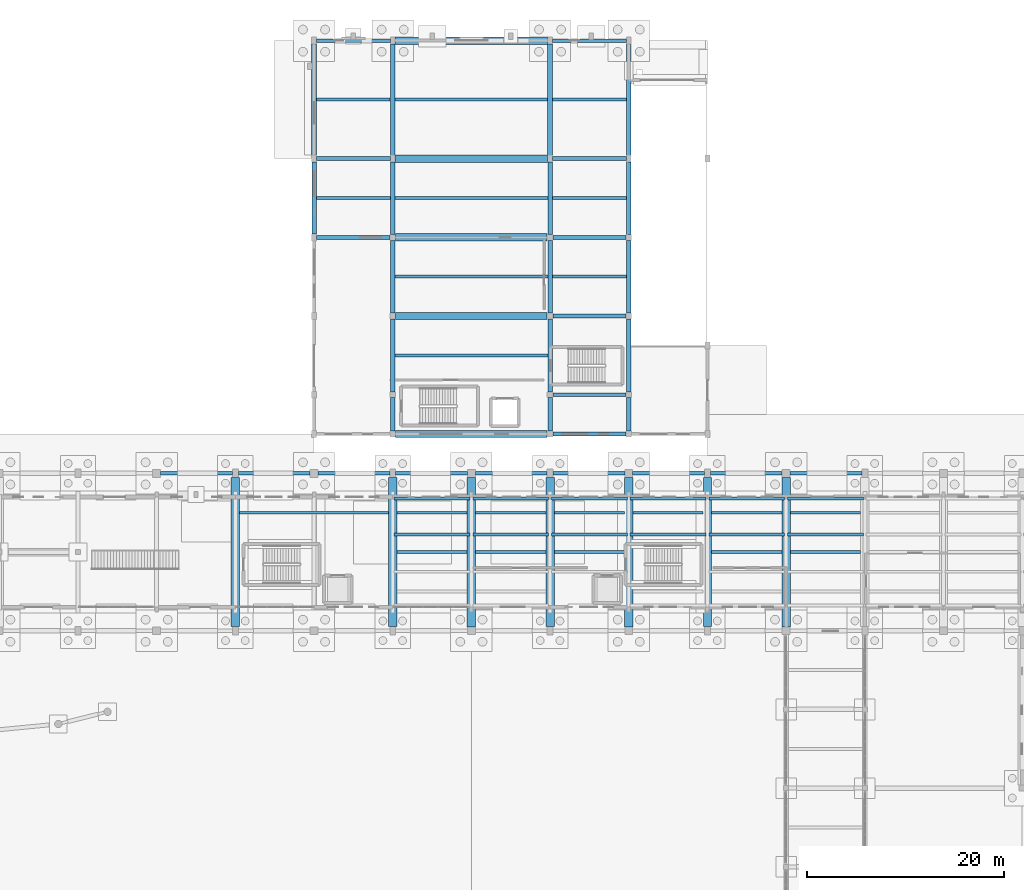
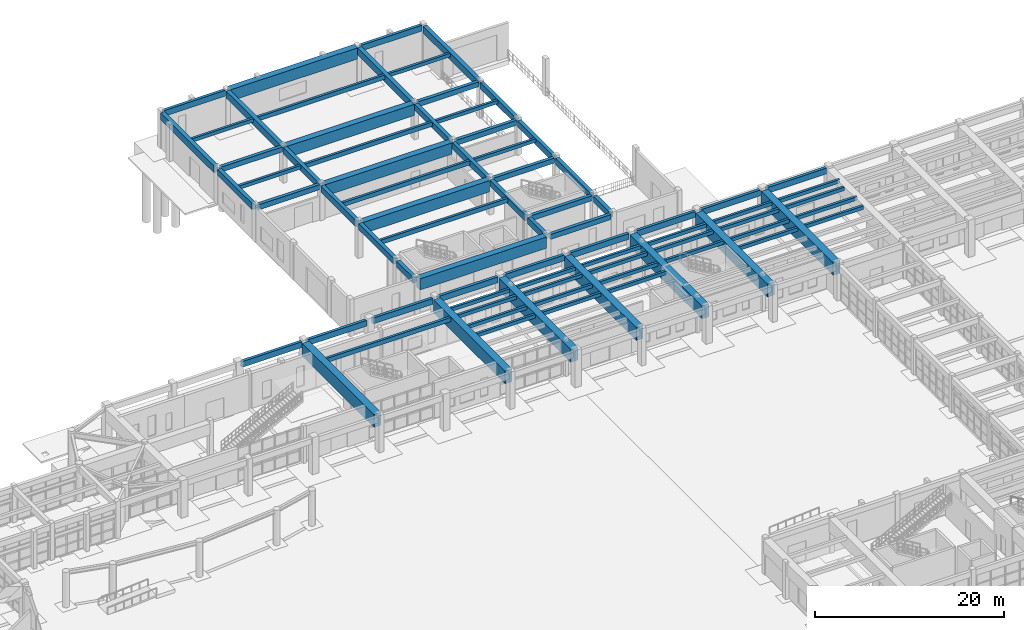
# One storey, part 29 of 68: 80 beams.
"""IFC4 building model written with IfcOpenShell, lengths in metres."""

from ifc_helpers import new_model, si_unit, direction, frame, origin, origin_2d, place, context, subcontext, project, spatial, rectangle, extrude, material, material_profile, profile_set, type_object, element, save


model = new_model("IFC4")

# Units and contexts
model_context = context("Model", 3, precision=1e-05, world=origin(), true_north=direction((0.0, 1.0)))
body_context = subcontext(model_context, "Body", "Model", "MODEL_VIEW")
ifc_project = project(units=[si_unit("LENGTHUNIT", "METRE"), si_unit("AREAUNIT", "SQUARE_METRE"), si_unit("VOLUMEUNIT", "CUBIC_METRE"), si_unit("PLANEANGLEUNIT", "RADIAN"), si_unit("MASSUNIT", "GRAM", prefix="KILO")], contexts=[model_context])

# Site, building, storey
site_placement = place(None, origin())
site = spatial("IfcSite", under=ifc_project, at=site_placement, CompositionType="ELEMENT")
building_placement = place(site_placement, origin())
building = spatial("IfcBuilding", under=site, at=building_placement, Name="Serraluz Foothill Cableway Terminal", CompositionType="ELEMENT")
storey_placement = place(building_placement, origin())
storey = spatial("IfcBuildingStorey", under=building, at=storey_placement, Name="L00", CompositionType="ELEMENT", Elevation=0.0)

# Beams
ifc_material_1 = material(Name="Concrete C28/35 (f'c 28 MPa)", Category="concrete")
ifc_material_profile_1 = material_profile(ifc_material_1, rectangle(XDim=0.39990234375, YDim=0.64990234375, at=origin_2d()), Name="RC 400x650")
ifc_profile_set_1 = profile_set([ifc_material_profile_1], Name="Concrete C28/35 (f'c 28 MPa)")
beam_type_1 = type_object("IfcBeamType", Name="TYP-BM-RC400X650", PredefinedType="BEAM", material=ifc_profile_set_1)
for number, where, z_axis, x_axis, name in (
    (1, (96.2958984375, 76.0, 4.175048828125), (1.0, 0.0, 0.0), (0.0, 1.0, 0.0), "Primary Girder BM-X-L00-0098"),
    (2, (96.2958984375, 80.0, 4.175048828125), (1.0, 0.0, 0.0), (0.0, 1.0, 0.0), "Primary Girder BM-X-L00-0099"),
    (3, (96.2958984375, 88.0, 4.175048828125), (1.0, 0.0, 0.0), (0.0, 1.0, 0.0), "Primary Girder BM-X-L00-0101"),
):
    element("IfcBeam", number, at=place(storey_placement, frame(where, z_axis=z_axis, x_axis=x_axis)), inside=storey, type_object=beam_type_1, Name=name, PredefinedType="BEAM", context=body_context, shape_type="SweptSolid", body=[
        extrude(rectangle(XDim=0.39990234375, YDim=0.64990234375, at=origin_2d()), origin(), (0.0, 0.0, 1.0), 7.408203125),
    ])
beam_1_placement = place(storey_placement, frame((72.24609375, 96.0, 4.294921875), z_axis=(1.0, 0.0, 0.0), x_axis=(0.0, 1.0, 0.0)))
element("IfcBeam", 4, at=beam_1_placement, inside=storey, type_object=beam_type_1, Name="Primary Girder BM-X-L00-0102", PredefinedType="BEAM", context=body_context, shape_type="SweptSolid", body=[
    extrude(rectangle(XDim=0.39990234375, YDim=0.64990234375, at=origin_2d()), origin(), (0.0, 0.0, 1.0), 7.4580078125),
])
beam_2_placement = place(storey_placement, frame((96.2958984375, 96.0, 4.175048828125), z_axis=(1.0, 0.0, 0.0), x_axis=(0.0, 1.0, 0.0)))
element("IfcBeam", 5, at=beam_2_placement, inside=storey, type_object=beam_type_1, Name="Primary Girder BM-X-L00-0104", PredefinedType="BEAM", context=body_context, shape_type="SweptSolid", body=[
    extrude(rectangle(XDim=0.39990234375, YDim=0.64990234375, at=origin_2d()), origin(), (0.0, 0.0, 1.0), 7.408203125),
])
for number, where, z_axis, x_axis, name in (
    (6, (72.24609375, 104.0, 4.294921875), (1.0, 0.0, 0.0), (0.0, 1.0, 0.0), "Primary Girder BM-X-L00-0105"),
    (7, (96.24609375, 104.0, 4.294921875), (1.0, 0.0, 0.0), (0.0, 1.0, 0.0), "Primary Girder BM-X-L00-0107"),
):
    element("IfcBeam", number, at=place(storey_placement, frame(where, z_axis=z_axis, x_axis=x_axis)), inside=storey, type_object=beam_type_1, Name=name, PredefinedType="BEAM", context=body_context, shape_type="SweptSolid", body=[
        extrude(rectangle(XDim=0.39990234375, YDim=0.64990234375, at=origin_2d()), origin(), (0.0, 0.0, 1.0), 7.5078125),
    ])
ifc_material_2 = material(Name="Concrete C35/45 (f'c 35 MPa)", Category="concrete")
ifc_material_profile_2 = material_profile(ifc_material_2, rectangle(XDim=0.449951171875, YDim=0.800048828125, at=origin_2d()), Name="RC 450x800")
ifc_profile_set_2 = profile_set([ifc_material_profile_2], Name="Concrete C35/45 (f'c 35 MPa)")
beam_type_2 = type_object("IfcBeamType", Name="TYP-BM-RC450X800", PredefinedType="BEAM", material=ifc_profile_set_2)
beam_3_placement = place(storey_placement, frame((72.0, 96.345947265625, 4.219970703125), z_axis=(0.0, 1.0, 0.0), x_axis=(-1.0, 0.0, 0.0)))
element("IfcBeam", 8, at=beam_3_placement, inside=storey, type_object=beam_type_2, Name="Transverse Girder BM-Y-L00-0131", PredefinedType="BEAM", context=body_context, shape_type="SweptSolid", body=[
    extrude(rectangle(XDim=0.449951171875, YDim=0.800048828125, at=origin_2d()), origin(), (0.0, 0.0, 1.0), 7.30810546875),
])
beam_4_placement = place(storey_placement, frame((80.0, 76.2958984375, 4.10009765625), z_axis=(0.0, 1.0, 0.0), x_axis=(-1.0, 0.0, 0.0)))
element("IfcBeam", 9, at=beam_4_placement, inside=storey, type_object=beam_type_2, Name="Transverse Girder BM-Y-L00-0134", PredefinedType="BEAM", context=body_context, shape_type="SweptSolid", body=[
    extrude(rectangle(XDim=0.449951171875, YDim=0.800048828125, at=origin_2d()), origin(), (0.0, 0.0, 1.0), 3.408203125),
])
for number, where, z_axis, x_axis, name in (
    (10, (80.0, 80.2958984375, 4.10009765625), (0.0, 1.0, 0.0), (-1.0, 0.0, 0.0), "Transverse Girder BM-Y-L00-0135"),
    (11, (80.0, 88.2958984375, 4.10009765625), (0.0, 1.0, 0.0), (-1.0, 0.0, 0.0), "Transverse Girder BM-Y-L00-0136"),
):
    element("IfcBeam", number, at=place(storey_placement, frame(where, z_axis=z_axis, x_axis=x_axis)), inside=storey, type_object=beam_type_2, Name=name, PredefinedType="BEAM", context=body_context, shape_type="SweptSolid", body=[
        extrude(rectangle(XDim=0.449951171875, YDim=0.800048828125, at=origin_2d()), origin(), (0.0, 0.0, 1.0), 7.408203125),
    ])
beam_5_placement = place(storey_placement, frame((80.0, 96.2958984375, 4.219970703125), z_axis=(0.0, 1.0, 0.0), x_axis=(-1.0, 0.0, 0.0)))
element("IfcBeam", 12, at=beam_5_placement, inside=storey, type_object=beam_type_2, Name="Transverse Girder BM-Y-L00-0137", PredefinedType="BEAM", context=body_context, shape_type="SweptSolid", body=[
    extrude(rectangle(XDim=0.449951171875, YDim=0.800048828125, at=origin_2d()), origin(), (0.0, 0.0, 1.0), 7.358154296875),
])
beam_6_placement = place(storey_placement, frame((96.0, 76.2958984375, 4.10009765625), z_axis=(0.0, 1.0, 0.0), x_axis=(-1.0, 0.0, 0.0)))
element("IfcBeam", 13, at=beam_6_placement, inside=storey, type_object=beam_type_2, Name="Transverse Girder BM-Y-L00-0143", PredefinedType="BEAM", context=body_context, shape_type="SweptSolid", body=[
    extrude(rectangle(XDim=0.449951171875, YDim=0.800048828125, at=origin_2d()), origin(), (0.0, 0.0, 1.0), 3.408203125),
])
for number, where, z_axis, x_axis, name in (
    (14, (96.0, 80.2958984375, 4.10009765625), (0.0, 1.0, 0.0), (-1.0, 0.0, 0.0), "Transverse Girder BM-Y-L00-0144"),
    (15, (96.0, 88.2958984375, 4.10009765625), (0.0, 1.0, 0.0), (-1.0, 0.0, 0.0), "Transverse Girder BM-Y-L00-0145"),
):
    element("IfcBeam", number, at=place(storey_placement, frame(where, z_axis=z_axis, x_axis=x_axis)), inside=storey, type_object=beam_type_2, Name=name, PredefinedType="BEAM", context=body_context, shape_type="SweptSolid", body=[
        extrude(rectangle(XDim=0.449951171875, YDim=0.800048828125, at=origin_2d()), origin(), (0.0, 0.0, 1.0), 7.408203125),
    ])
beam_7_placement = place(storey_placement, frame((96.0, 96.2958984375, 4.219970703125), z_axis=(0.0, 1.0, 0.0), x_axis=(-1.0, 0.0, 0.0)))
element("IfcBeam", 16, at=beam_7_placement, inside=storey, type_object=beam_type_2, Name="Transverse Girder BM-Y-L00-0146", PredefinedType="BEAM", context=body_context, shape_type="SweptSolid", body=[
    extrude(rectangle(XDim=0.449951171875, YDim=0.800048828125, at=origin_2d()), origin(), (0.0, 0.0, 1.0), 7.358154296875),
])
beam_8_placement = place(storey_placement, frame((104.0, 76.2958984375, 4.10009765625), z_axis=(0.0, 1.0, 0.0), x_axis=(-1.0, 0.0, 0.0)))
element("IfcBeam", 17, at=beam_8_placement, inside=storey, type_object=beam_type_2, Name="Transverse Girder BM-Y-L00-0149", PredefinedType="BEAM", context=body_context, shape_type="SweptSolid", body=[
    extrude(rectangle(XDim=0.449951171875, YDim=0.800048828125, at=origin_2d()), origin(), (0.0, 0.0, 1.0), 3.408203125),
])
for number, where, z_axis, x_axis, name in (
    (18, (104.0, 80.2958984375, 4.10009765625), (0.0, 1.0, 0.0), (-1.0, 0.0, 0.0), "Transverse Girder BM-Y-L00-0150"),
    (19, (104.0, 88.2958984375, 4.10009765625), (0.0, 1.0, 0.0), (-1.0, 0.0, 0.0), "Transverse Girder BM-Y-L00-0151"),
):
    element("IfcBeam", number, at=place(storey_placement, frame(where, z_axis=z_axis, x_axis=x_axis)), inside=storey, type_object=beam_type_2, Name=name, PredefinedType="BEAM", context=body_context, shape_type="SweptSolid", body=[
        extrude(rectangle(XDim=0.449951171875, YDim=0.800048828125, at=origin_2d()), origin(), (0.0, 0.0, 1.0), 7.408203125),
    ])
beam_9_placement = place(storey_placement, frame((104.0, 96.2958984375, 4.219970703125), z_axis=(0.0, 1.0, 0.0), x_axis=(-1.0, 0.0, 0.0)))
element("IfcBeam", 20, at=beam_9_placement, inside=storey, type_object=beam_type_2, Name="Transverse Girder BM-Y-L00-0152", PredefinedType="BEAM", context=body_context, shape_type="SweptSolid", body=[
    extrude(rectangle(XDim=0.449951171875, YDim=0.800048828125, at=origin_2d()), origin(), (0.0, 0.0, 1.0), 7.358154296875),
])
ifc_material_profile_3 = material_profile(ifc_material_2, rectangle(XDim=0.5, YDim=0.89990234375, at=origin_2d()), Name="RC 500x900")
ifc_profile_set_3 = profile_set([ifc_material_profile_3], Name="Concrete C35/45 (f'c 35 MPa)")
beam_type_3 = type_object("IfcBeamType", Name="TYP-BM-RC500X900", PredefinedType="BEAM", material=ifc_profile_set_3)
for number, where, z_axis, x_axis, name in (
    (21, (72.0, 104.345947265625, 4.169921875), (0.0, 1.0, 0.0), (-1.0, 0.0, 0.0), "Transverse Girder BM-Y-L00-0132"),
    (22, (80.0, 104.345947265625, 4.169921875), (0.0, 1.0, 0.0), (-1.0, 0.0, 0.0), "Transverse Girder BM-Y-L00-0138"),
    (23, (96.0, 104.345947265625, 4.169921875), (0.0, 1.0, 0.0), (-1.0, 0.0, 0.0), "Transverse Girder BM-Y-L00-0147"),
    (24, (104.0, 104.345947265625, 4.169921875), (0.0, 1.0, 0.0), (-1.0, 0.0, 0.0), "Transverse Girder BM-Y-L00-0153"),
):
    element("IfcBeam", number, at=place(storey_placement, frame(where, z_axis=z_axis, x_axis=x_axis)), inside=storey, type_object=beam_type_3, Name=name, PredefinedType="BEAM", context=body_context, shape_type="SweptSolid", body=[
        extrude(rectangle(XDim=0.5, YDim=0.89990234375, at=origin_2d()), origin(), (0.0, 0.0, 1.0), 11.30810546875),
    ])
ifc_material_profile_4 = material_profile(ifc_material_2, rectangle(XDim=0.75, YDim=1.449951171875, at=origin_2d()), Name="RC TG 750x1450")
ifc_profile_set_4 = profile_set([ifc_material_profile_4], Name="Concrete C35/45 (f'c 35 MPa)")
beam_type_4 = type_object("IfcBeamType", Name="TYP-BM-RCTG1450", PredefinedType="BEAM", material=ifc_profile_set_4)
for number, where, z_axis, x_axis, name in (
    (25, (80.2958984375, 76.0, 3.77490234375), (1.0, 0.0, 0.0), (0.0, 1.0, 0.0), "Primary Girder BM-X-L00-0097"),
    (26, (80.2958984375, 88.0, 3.77490234375), (1.0, 0.0, 0.0), (0.0, 1.0, 0.0), "Primary Girder BM-X-L00-0100"),
    (27, (80.2958984375, 96.0, 3.77490234375), (1.0, 0.0, 0.0), (0.0, 1.0, 0.0), "Primary Girder BM-X-L00-0103"),
):
    element("IfcBeam", number, at=place(storey_placement, frame(where, z_axis=z_axis, x_axis=x_axis)), inside=storey, type_object=beam_type_4, Name=name, PredefinedType="BEAM", context=body_context, shape_type="SweptSolid", body=[
        extrude(rectangle(XDim=0.75, YDim=1.449951171875, at=origin_2d()), origin(), (0.0, 0.0, 1.0), 15.408203125),
    ])
for number, where, z_axis, x_axis, name in (
    (28, (80.24609375, 104.0, 3.89501953125), (1.0, 0.0, 0.0), (0.0, 1.0, 0.0), "Primary Girder BM-X-L00-0106"),
    (29, (80.24609375, 116.0, 3.89501953125), (1.0, 0.0, 0.0), (0.0, 1.0, 0.0), "Primary Girder BM-X-L00-0109"),
):
    element("IfcBeam", number, at=place(storey_placement, frame(where, z_axis=z_axis, x_axis=x_axis)), inside=storey, type_object=beam_type_4, Name=name, PredefinedType="BEAM", context=body_context, shape_type="SweptSolid", body=[
        extrude(rectangle(XDim=0.75, YDim=1.449951171875, at=origin_2d()), origin(), (0.0, 0.0, 1.0), 15.5078125),
    ])
ifc_material_profile_5 = material_profile(ifc_material_2, rectangle(XDim=0.85009765625, YDim=1.64990234375, at=origin_2d()), Name="RC TG 850x1650")
ifc_profile_set_5 = profile_set([ifc_material_profile_5], Name="Concrete C35/45 (f'c 35 MPa)")
beam_type_5 = type_object("IfcBeamType", Name="TYP-BM-RCTG1650", PredefinedType="BEAM", material=ifc_profile_set_5)
for number, where, z_axis, x_axis, name in (
    (30, (64.0, 56.4208984375, 3.675048828125), (0.0, 1.0, 0.0), (-1.0, 0.0, 0.0), "Transverse Girder BM-Y-L00-0130"),
    (31, (80.0, 56.4208984375, 3.675048828125), (0.0, 1.0, 0.0), (-1.0, 0.0, 0.0), "Transverse Girder BM-Y-L00-0133"),
):
    element("IfcBeam", number, at=place(storey_placement, frame(where, z_axis=z_axis, x_axis=x_axis)), inside=storey, type_object=beam_type_5, Name=name, PredefinedType="BEAM", context=body_context, shape_type="SweptSolid", body=[
        extrude(rectangle(XDim=0.85009765625, YDim=1.64990234375, at=origin_2d()), origin(), (0.0, 0.0, 1.0), 15.158203125),
    ])
beam_10_placement = place(storey_placement, frame((88.0, 56.39599609375, 3.675048828125), z_axis=(0.0, 1.0, 0.0), x_axis=(-1.0, 0.0, 0.0)))
element("IfcBeam", 32, at=beam_10_placement, inside=storey, type_object=beam_type_5, Name="Transverse Girder BM-Y-L00-0140", PredefinedType="BEAM", context=body_context, shape_type="SweptSolid", body=[
    extrude(rectangle(XDim=0.85009765625, YDim=1.64990234375, at=origin_2d()), origin(), (0.0, 0.0, 1.0), 15.2080078125),
])
beam_11_placement = place(storey_placement, frame((96.0, 56.4208984375, 3.675048828125), z_axis=(0.0, 1.0, 0.0), x_axis=(-1.0, 0.0, 0.0)))
element("IfcBeam", 33, at=beam_11_placement, inside=storey, type_object=beam_type_5, Name="Transverse Girder BM-Y-L00-0142", PredefinedType="BEAM", context=body_context, shape_type="SweptSolid", body=[
    extrude(rectangle(XDim=0.85009765625, YDim=1.64990234375, at=origin_2d()), origin(), (0.0, 0.0, 1.0), 15.158203125),
])
beam_12_placement = place(storey_placement, frame((104.0, 56.39599609375, 3.675048828125), z_axis=(0.0, 1.0, 0.0), x_axis=(-1.0, 0.0, 0.0)))
element("IfcBeam", 34, at=beam_12_placement, inside=storey, type_object=beam_type_5, Name="Transverse Girder BM-Y-L00-0148", PredefinedType="BEAM", context=body_context, shape_type="SweptSolid", body=[
    extrude(rectangle(XDim=0.85009765625, YDim=1.64990234375, at=origin_2d()), origin(), (0.0, 0.0, 1.0), 15.2080078125),
])
beam_13_placement = place(storey_placement, frame((112.0, 56.4208984375, 3.675048828125), z_axis=(0.0, 1.0, 0.0), x_axis=(-1.0, 0.0, 0.0)))
element("IfcBeam", 35, at=beam_13_placement, inside=storey, type_object=beam_type_5, Name="Transverse Girder BM-Y-L00-0155", PredefinedType="BEAM", context=body_context, shape_type="SweptSolid", body=[
    extrude(rectangle(XDim=0.85009765625, YDim=1.64990234375, at=origin_2d()), origin(), (0.0, 0.0, 1.0), 15.158203125),
])
beam_14_placement = place(storey_placement, frame((120.0, 56.39599609375, 3.675048828125), z_axis=(0.0, 1.0, 0.0), x_axis=(-1.0, 0.0, 0.0)))
element("IfcBeam", 36, at=beam_14_placement, inside=storey, type_object=beam_type_5, Name="Transverse Girder BM-Y-L00-0162", PredefinedType="BEAM", context=body_context, shape_type="SweptSolid", body=[
    extrude(rectangle(XDim=0.85009765625, YDim=1.64990234375, at=origin_2d()), origin(), (0.0, 0.0, 1.0), 15.2080078125),
])
ifc_material_profile_6 = material_profile(ifc_material_1, rectangle(XDim=0.300048828125, YDim=0.449951171875, at=origin_2d()), Name="RC 300x450")
ifc_profile_set_6 = profile_set([ifc_material_profile_6], Name="Concrete C28/35 (f'c 28 MPa)")
beam_type_6 = type_object("IfcBeamType", Name="TYP-JS-RC300X450", PredefinedType="JOIST", material=ifc_profile_set_6)
beam_15_placement = place(storey_placement, frame((72.22998046875, 100.0, 4.39501953125), z_axis=(1.0, 0.0, 0.0), x_axis=(0.0, 1.0, 0.0)))
element("IfcBeam", 37, at=beam_15_placement, inside=storey, type_object=beam_type_6, Name="Secondary Floor Joist JS-L00-0019", PredefinedType="JOIST", context=body_context, shape_type="SweptSolid", body=[
    extrude(rectangle(XDim=0.300048828125, YDim=0.449951171875, at=origin_2d()), origin(), (0.0, 0.0, 1.0), 7.5400390625),
])
beam_16_placement = place(storey_placement, frame((72.2548828125, 110.0, 4.39501953125), z_axis=(1.0, 0.0, 0.0), x_axis=(0.0, 1.0, 0.0)))
element("IfcBeam", 38, at=beam_16_placement, inside=storey, type_object=beam_type_6, Name="Secondary Floor Joist JS-L00-0020", PredefinedType="JOIST", context=body_context, shape_type="SweptSolid", body=[
    extrude(rectangle(XDim=0.300048828125, YDim=0.449951171875, at=origin_2d()), origin(), (0.0, 0.0, 1.0), 7.490234375),
])
for number, where, z_axis, x_axis, name in (
    (39, (80.429931640625, 64.0, 4.27490234375), (1.0, 0.0, 0.0), (0.0, 1.0, 0.0), "Secondary Floor Joist JS-L00-0022"),
    (40, (80.429931640625, 68.0, 4.27490234375), (1.0, 0.0, 0.0), (0.0, 1.0, 0.0), "Secondary Floor Joist JS-L00-0023"),
    (41, (88.429931640625, 64.0, 4.27490234375), (1.0, 0.0, 0.0), (0.0, 1.0, 0.0), "Secondary Floor Joist JS-L00-0032"),
    (42, (88.429931640625, 68.0, 4.27490234375), (1.0, 0.0, 0.0), (0.0, 1.0, 0.0), "Secondary Floor Joist JS-L00-0033"),
    (43, (96.429931640625, 64.0, 4.27490234375), (1.0, 0.0, 0.0), (0.0, 1.0, 0.0), "Secondary Floor Joist JS-L00-0034"),
    (44, (96.429931640625, 68.0, 4.27490234375), (1.0, 0.0, 0.0), (0.0, 1.0, 0.0), "Secondary Floor Joist JS-L00-0035"),
):
    element("IfcBeam", number, at=place(storey_placement, frame(where, z_axis=z_axis, x_axis=x_axis)), inside=storey, type_object=beam_type_6, Name=name, PredefinedType="JOIST", context=body_context, shape_type="SweptSolid", body=[
        extrude(rectangle(XDim=0.300048828125, YDim=0.449951171875, at=origin_2d()), origin(), (0.0, 0.0, 1.0), 7.14013671875),
    ])
for number, where, z_axis, x_axis, name in (
    (45, (96.22998046875, 92.0, 4.27490234375), (1.0, 0.0, 0.0), (0.0, 1.0, 0.0), "Secondary Floor Joist JS-L00-0036"),
    (46, (96.22998046875, 100.0, 4.39501953125), (1.0, 0.0, 0.0), (0.0, 1.0, 0.0), "Secondary Floor Joist JS-L00-0037"),
):
    element("IfcBeam", number, at=place(storey_placement, frame(where, z_axis=z_axis, x_axis=x_axis)), inside=storey, type_object=beam_type_6, Name=name, PredefinedType="JOIST", context=body_context, shape_type="SweptSolid", body=[
        extrude(rectangle(XDim=0.300048828125, YDim=0.449951171875, at=origin_2d()), origin(), (0.0, 0.0, 1.0), 7.5400390625),
    ])
beam_17_placement = place(storey_placement, frame((96.2548828125, 110.0, 4.39501953125), z_axis=(1.0, 0.0, 0.0), x_axis=(0.0, 1.0, 0.0)))
element("IfcBeam", 47, at=beam_17_placement, inside=storey, type_object=beam_type_6, Name="Secondary Floor Joist JS-L00-0038", PredefinedType="JOIST", context=body_context, shape_type="SweptSolid", body=[
    extrude(rectangle(XDim=0.300048828125, YDim=0.449951171875, at=origin_2d()), origin(), (0.0, 0.0, 1.0), 7.490234375),
])
for number, where, z_axis, x_axis, name in (
    (48, (104.429931640625, 68.0, 4.27490234375), (1.0, 0.0, 0.0), (0.0, 1.0, 0.0), "Secondary Floor Joist JS-L00-0040"),
    (49, (112.429931640625, 64.0, 4.27490234375), (1.0, 0.0, 0.0), (0.0, 1.0, 0.0), "Secondary Floor Joist JS-L00-0044"),
    (50, (112.429931640625, 68.0, 4.27490234375), (1.0, 0.0, 0.0), (0.0, 1.0, 0.0), "Secondary Floor Joist JS-L00-0045"),
    (51, (120.429931640625, 64.0, 4.27490234375), (1.0, 0.0, 0.0), (0.0, 1.0, 0.0), "Secondary Floor Joist JS-L00-0055"),
    (52, (120.429931640625, 68.0, 4.27490234375), (1.0, 0.0, 0.0), (0.0, 1.0, 0.0), "Secondary Floor Joist JS-L00-0056"),
):
    element("IfcBeam", number, at=place(storey_placement, frame(where, z_axis=z_axis, x_axis=x_axis)), inside=storey, type_object=beam_type_6, Name=name, PredefinedType="JOIST", context=body_context, shape_type="SweptSolid", body=[
        extrude(rectangle(XDim=0.300048828125, YDim=0.449951171875, at=origin_2d()), origin(), (0.0, 0.0, 1.0), 7.14013671875),
    ])
for number, where, z_axis, x_axis, name in (
    (53, (80.139892578125, 65.800048828125, 4.27490234375), (1.0, 0.0, 0.0), (0.0, 1.0, 0.0), "Composite Deck Joist L00-003"),
    (54, (80.139892578125, 69.449951171875, 4.27490234375), (1.0, 0.0, 0.0), (0.0, 1.0, 0.0), "Composite Deck Joist L00-004"),
    (55, (88.139892578125, 65.800048828125, 4.27490234375), (1.0, 0.0, 0.0), (0.0, 1.0, 0.0), "Composite Deck Joist L00-007"),
    (56, (88.139892578125, 69.449951171875, 4.27490234375), (1.0, 0.0, 0.0), (0.0, 1.0, 0.0), "Composite Deck Joist L00-008"),
    (57, (96.139892578125, 65.800048828125, 4.27490234375), (1.0, 0.0, 0.0), (0.0, 1.0, 0.0), "Composite Deck Joist L00-010"),
    (58, (96.139892578125, 69.449951171875, 4.27490234375), (1.0, 0.0, 0.0), (0.0, 1.0, 0.0), "Composite Deck Joist L00-011"),
    (59, (104.139892578125, 65.800048828125, 4.27490234375), (1.0, 0.0, 0.0), (0.0, 1.0, 0.0), "Composite Deck Joist L00-013"),
    (60, (104.139892578125, 69.449951171875, 4.27490234375), (1.0, 0.0, 0.0), (0.0, 1.0, 0.0), "Composite Deck Joist L00-014"),
    (61, (112.139892578125, 65.800048828125, 4.27490234375), (1.0, 0.0, 0.0), (0.0, 1.0, 0.0), "Composite Deck Joist L00-017"),
    (62, (112.139892578125, 69.449951171875, 4.27490234375), (1.0, 0.0, 0.0), (0.0, 1.0, 0.0), "Composite Deck Joist L00-018"),
    (63, (120.139892578125, 65.800048828125, 4.27490234375), (1.0, 0.0, 0.0), (0.0, 1.0, 0.0), "Composite Deck Joist L00-021"),
    (64, (120.139892578125, 69.449951171875, 4.27490234375), (1.0, 0.0, 0.0), (0.0, 1.0, 0.0), "Composite Deck Joist L00-022"),
):
    element("IfcBeam", number, at=place(storey_placement, frame(where, z_axis=z_axis, x_axis=x_axis)), inside=storey, type_object=beam_type_6, Name=name, PredefinedType="JOIST", context=body_context, shape_type="SweptSolid", body=[
        extrude(rectangle(XDim=0.300048828125, YDim=0.449951171875, at=origin_2d()), origin(), (0.0, 0.0, 1.0), 7.72021484375),
    ])
ifc_material_profile_7 = material_profile(ifc_material_1, rectangle(XDim=0.300048828125, YDim=0.550048828125, at=origin_2d()), Name="RC 300x550")
ifc_profile_set_7 = profile_set([ifc_material_profile_7], Name="Concrete C28/35 (f'c 28 MPa)")
beam_type_7 = type_object("IfcBeamType", Name="TYP-JS-RC300X550", PredefinedType="JOIST", material=ifc_profile_set_7)
beam_18_placement = place(storey_placement, frame((64.429931640625, 68.0, 4.22509765625), z_axis=(1.0, 0.0, 0.0), x_axis=(0.0, 1.0, 0.0)))
element("IfcBeam", 65, at=beam_18_placement, inside=storey, type_object=beam_type_7, Name="Secondary Floor Joist JS-L00-0018", PredefinedType="JOIST", context=body_context, shape_type="SweptSolid", body=[
    extrude(rectangle(XDim=0.300048828125, YDim=0.550048828125, at=origin_2d()), origin(), (0.0, 0.0, 1.0), 15.14013671875),
])
for number, where, z_axis, x_axis, name in (
    (66, (80.22998046875, 84.0, 4.22509765625), (1.0, 0.0, 0.0), (0.0, 1.0, 0.0), "Secondary Floor Joist JS-L00-0024"),
    (67, (80.22998046875, 92.0, 4.22509765625), (1.0, 0.0, 0.0), (0.0, 1.0, 0.0), "Secondary Floor Joist JS-L00-0025"),
    (68, (80.22998046875, 100.0, 4.344970703125), (1.0, 0.0, 0.0), (0.0, 1.0, 0.0), "Secondary Floor Joist JS-L00-0026"),
):
    element("IfcBeam", number, at=place(storey_placement, frame(where, z_axis=z_axis, x_axis=x_axis)), inside=storey, type_object=beam_type_7, Name=name, PredefinedType="JOIST", context=body_context, shape_type="SweptSolid", body=[
        extrude(rectangle(XDim=0.300048828125, YDim=0.550048828125, at=origin_2d()), origin(), (0.0, 0.0, 1.0), 15.5400390625),
    ])
beam_19_placement = place(storey_placement, frame((80.2548828125, 110.0, 4.344970703125), z_axis=(1.0, 0.0, 0.0), x_axis=(0.0, 1.0, 0.0)))
element("IfcBeam", 69, at=beam_19_placement, inside=storey, type_object=beam_type_7, Name="Secondary Floor Joist JS-L00-0027", PredefinedType="JOIST", context=body_context, shape_type="SweptSolid", body=[
    extrude(rectangle(XDim=0.300048828125, YDim=0.550048828125, at=origin_2d()), origin(), (0.0, 0.0, 1.0), 15.490234375),
])
ifc_material_3 = material(Name="Precast concrete C40/50", Category="concrete")
ifc_material_profile_8 = material_profile(ifc_material_3, rectangle(XDim=0.35009765625, YDim=0.75, at=origin_2d()), Name="RC SP 350x750")
ifc_profile_set_8 = profile_set([ifc_material_profile_8], Name="Precast concrete C40/50")
beam_type_8 = type_object("IfcBeamType", Name="TYP-SP-RC350X750", PredefinedType="SPANDREL", material=ifc_profile_set_8)
for number, where, z_axis, x_axis, name in (
    (70, (56.39599609375, 72.0, 4.125), (1.0, 0.0, 0.0), (0.0, 1.0, 0.0), "Primary Girder BM-X-L00-0083"),
    (71, (64.2958984375, 72.0, 4.125), (1.0, 0.0, 0.0), (0.0, 1.0, 0.0), "Primary Girder BM-X-L00-0084"),
    (72, (72.39599609375, 72.0, 4.125), (1.0, 0.0, 0.0), (0.0, 1.0, 0.0), "Primary Girder BM-X-L00-0085"),
    (73, (80.2958984375, 72.0, 4.125), (1.0, 0.0, 0.0), (0.0, 1.0, 0.0), "Primary Girder BM-X-L00-0086"),
    (74, (88.39599609375, 72.0, 4.125), (1.0, 0.0, 0.0), (0.0, 1.0, 0.0), "Primary Girder BM-X-L00-0087"),
    (75, (96.2958984375, 72.0, 4.125), (1.0, 0.0, 0.0), (0.0, 1.0, 0.0), "Primary Girder BM-X-L00-0088"),
    (76, (104.39599609375, 72.0, 4.125), (1.0, 0.0, 0.0), (0.0, 1.0, 0.0), "Primary Girder BM-X-L00-0089"),
    (77, (112.2958984375, 72.0, 4.125), (1.0, 0.0, 0.0), (0.0, 1.0, 0.0), "Primary Girder BM-X-L00-0090"),
    (78, (120.39599609375, 72.0, 4.125), (1.0, 0.0, 0.0), (0.0, 1.0, 0.0), "Primary Girder BM-X-L00-0091"),
):
    element("IfcBeam", number, at=place(storey_placement, frame(where, z_axis=z_axis, x_axis=x_axis)), inside=storey, type_object=beam_type_8, Name=name, PredefinedType="SPANDREL", context=body_context, shape_type="SweptSolid", body=[
        extrude(rectangle(XDim=0.35009765625, YDim=0.75, at=origin_2d()), origin(), (0.0, 0.0, 1.0), 7.30810546875),
    ])
for number, where, z_axis, x_axis, name in (
    (79, (72.24609375, 116.0, 4.2451171875), (1.0, 0.0, 0.0), (0.0, 1.0, 0.0), "Primary Girder BM-X-L00-0108"),
    (80, (96.24609375, 116.0, 4.2451171875), (1.0, 0.0, 0.0), (0.0, 1.0, 0.0), "Primary Girder BM-X-L00-0110"),
):
    element("IfcBeam", number, at=place(storey_placement, frame(where, z_axis=z_axis, x_axis=x_axis)), inside=storey, type_object=beam_type_8, Name=name, PredefinedType="SPANDREL", context=body_context, shape_type="SweptSolid", body=[
        extrude(rectangle(XDim=0.35009765625, YDim=0.75, at=origin_2d()), origin(), (0.0, 0.0, 1.0), 7.5078125),
    ])

save(model, "model.ifc")
